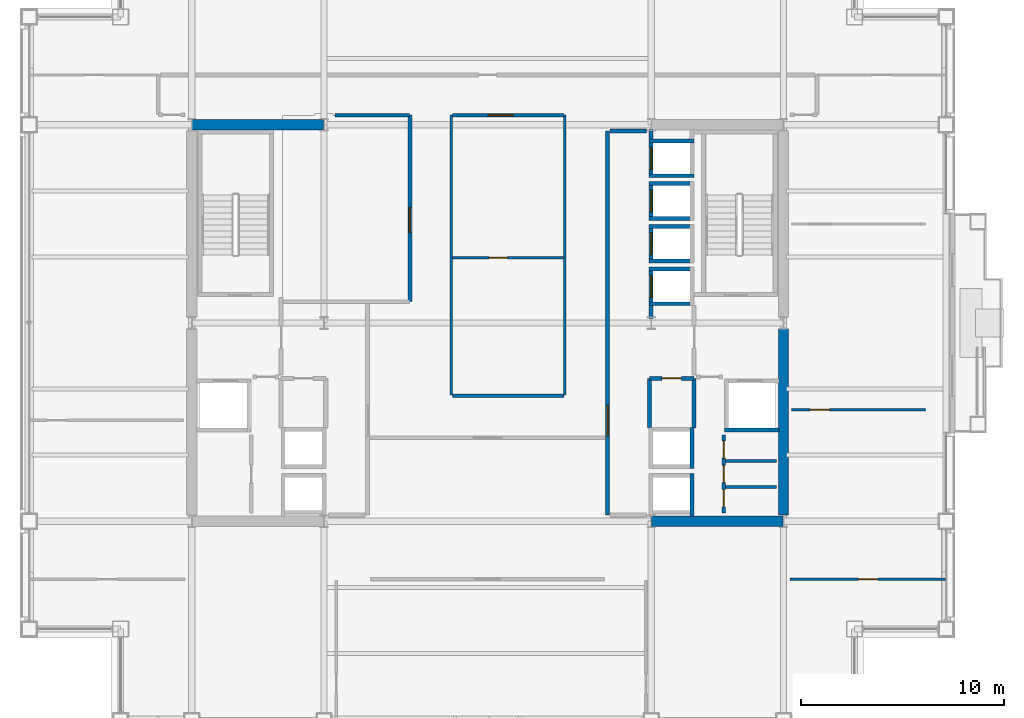
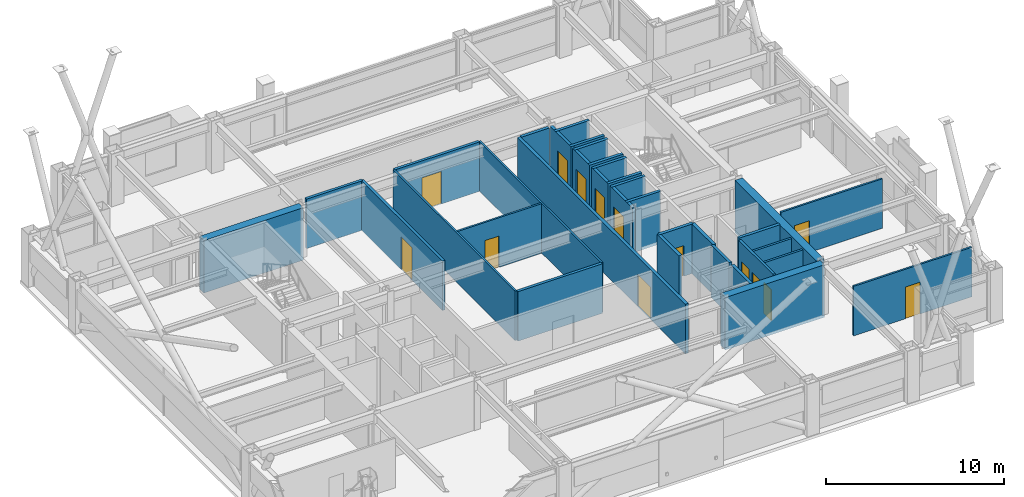
# One storey, part 30 of 35: 35 walls, 14 doors, 14 openings.
"""IFC4 building model written with IfcOpenShell, lengths in metres."""

from ifc_helpers import new_model, si_unit, direction, frame, frame_2d, origin, place, context, subcontext, project, spatial, rectangle, extrude, material, layer, layer_set, type_object, element, fill, save


model = new_model("IFC4")

# Units and contexts
model_context = context("Model", 3, precision=1e-05, world=origin(), true_north=direction((0.0, 1.0)))
body_context = subcontext(model_context, "Body", "Model", "MODEL_VIEW")
ifc_project = project(units=[si_unit("LENGTHUNIT", "METRE"), si_unit("AREAUNIT", "SQUARE_METRE"), si_unit("VOLUMEUNIT", "CUBIC_METRE"), si_unit("PLANEANGLEUNIT", "RADIAN"), si_unit("MASSUNIT", "GRAM", prefix="KILO")], contexts=[model_context])

# Site, building, storey
site_placement = place(None, origin())
site = spatial("IfcSite", under=ifc_project, at=site_placement, CompositionType="ELEMENT")
building_placement = place(site_placement, origin())
building = spatial("IfcBuilding", under=site, at=building_placement, Name="Brelmoor Portico Tower", CompositionType="ELEMENT")
storey_placement = place(building_placement, frame((0.0, 0.0, 131.39990234375)))
storey = spatial("IfcBuildingStorey", under=building, at=storey_placement, Name="L34", CompositionType="ELEMENT", Elevation=131.39990234375)

# Walls
ifc_material_1 = material(Name="Concrete C60", Category="concrete")
ifc_layer_1 = layer(ifc_material_1, 0.5)
ifc_layer_set_1 = layer_set([ifc_layer_1], Name="Concrete C60")
wall_type_1 = type_object("IfcWallType", Name="WL-CORE-500", PredefinedType="SHEAR", material=ifc_layer_set_1)
for number, where, z_axis, x_axis, name in (
    (1, (-14.530029296875, 9.75, -0.199951171875), (0.0, 0.0, 1.0), (1.0, 0.0, 0.0), "L34 WC North Shear Wall"),
    (2, (8.070068359375, -9.75, -0.199951171875), (0.0, 0.0, 1.0), (1.0, 0.0, 0.0), "L34 EC South Shear Wall"),
):
    element("IfcWall", number, at=place(storey_placement, frame(where, z_axis=z_axis, x_axis=x_axis)), inside=storey, type_object=wall_type_1, Name=name, PredefinedType="SHEAR", context=body_context, shape_type="SweptSolid", body=[
        extrude(rectangle(XDim=6.4599609375, YDim=0.5, at=frame_2d((3.22998046875, 0.0))), origin(), (0.0, 0.0, 1.0), 3.60009765625),
    ])
wall_1_placement = place(storey_placement, frame((14.550048828125, -9.449951171875, -0.199951171875), z_axis=(0.0, 0.0, 1.0), x_axis=(0.0, 1.0, 0.0)))
element("IfcWall", 3, at=wall_1_placement, inside=storey, type_object=wall_type_1, Name="L34 EC Outer South Shear Wall", PredefinedType="SHEAR", context=body_context, shape_type="SweptSolid", body=[
    extrude(rectangle(XDim=9.14990234375, YDim=0.5, at=frame_2d((4.574951171875, 0.0))), origin(), (0.0, 0.0, 1.0), 3.60009765625),
])
ifc_material_2 = material(Name="Lightweight Gypsum Office Partition", Category="gypsum")
ifc_layer_2 = layer(ifc_material_2, 0.1201171875)
ifc_layer_set_2 = layer_set([ifc_layer_2], Name="Lightweight Gypsum Office Partition")
wall_type_2 = type_object("IfcWallType", Name="WL-PART-120", PredefinedType="PARTITIONING", material=ifc_layer_set_2)
for number, where, z_axis, x_axis, name in (
    (4, (-1.780029296875, -3.550048828125, 0.0), (0.0, 0.0, 1.0), (0.0, 1.0, 0.0), "L34 Central Studio West Wall"),
    (5, (3.800048828125, -3.550048828125, 0.0), (0.0, 0.0, 1.0), (0.0, 1.0, 0.0), "L34 Central Studio East Wall"),
):
    element("IfcWall", number, at=place(storey_placement, frame(where, z_axis=z_axis, x_axis=x_axis)), inside=storey, type_object=wall_type_2, Name=name, PredefinedType="PARTITIONING", context=body_context, shape_type="SweptSolid", body=[
        extrude(rectangle(XDim=13.77001953125, YDim=0.1201171875, at=frame_2d((6.885009765625, 0.0))), origin(), (0.0, 0.0, 1.0), 3.400146484375),
    ])

# Wall, opening, door
wall_2_placement = place(storey_placement, frame((-1.72998046875, 3.199951171875, 0.0), z_axis=(0.0, 0.0, 1.0), x_axis=(1.0, 0.0, 0.0)))
wall_2 = element("IfcWall", 6, at=wall_2_placement, inside=storey, type_object=wall_type_2, Name="L34 Central Pantry Divider", PredefinedType="PARTITIONING", context=body_context, shape_type="SweptSolid", body=[
    extrude(rectangle(XDim=5.47998046875, YDim=0.1201171875, at=frame_2d((2.739990234375, 0.0))), origin(), (0.0, 0.0, 1.0), 3.400146484375),
])
opening_1_placement = place(wall_2_placement, frame((1.800048828125, 0.0, 0.0)))
opening_1 = element("IfcOpeningElement", 7, at=opening_1_placement, cuts=wall_2, Name="Opening D-IN1", PredefinedType="OPENING", context=body_context, shape_type="SweptSolid", body=[
    extrude(rectangle(XDim=0.89990234375, YDim=2.14990234375, at=frame_2d((0.449951171875, 1.074951171875))), frame((0.0, 0.070068359375, 0.0), z_axis=(0.0, -1.0, 0.0), x_axis=(1.0, 0.0, 0.0)), (0.0, 0.0, 1.0), 0.14013671875),
])
ifc_material_3 = material(Name="Lacquered Timber Suite Door", Category="wood")
door_type_1 = type_object("IfcDoorType", Name="DR-INT-900", OperationType="NOTDEFINED", PredefinedType="DOOR", material=ifc_material_3)
door_1_placement = place(opening_1_placement, origin())
door_1 = element("IfcDoor", 8, at=door_1_placement, inside=storey, type_object=door_type_1, Name="D-1473 L34 Central Pantry Connecting Door", OperationType="SINGLE_SWING_RIGHT", OverallHeight=2.14990234375, OverallWidth=0.89990234375, PredefinedType="DOOR", context=body_context, shape_type="SweptSolid", body=[
    extrude(rectangle(XDim=0.89990234375, YDim=2.14990234375, at=frame_2d((0.449951171875, 1.074951171875))), frame((0.0, 0.02490234375, 0.0), z_axis=(0.0, -1.0, 0.0), x_axis=(1.0, 0.0, 0.0)), (0.0, 0.0, 1.0), 0.050048828125),
])
fill(opening_1, door_1)

wall_3_placement = place(storey_placement, frame((14.8798828125, -12.60009765625, 0.0), z_axis=(0.0, 0.0, 1.0), x_axis=(1.0, 0.0, 0.0)))
wall_3 = element("IfcWall", 9, at=wall_3_placement, inside=storey, type_object=wall_type_2, Name="L34 South Wing Closure ER", PredefinedType="PARTITIONING", context=body_context, shape_type="SweptSolid", body=[
    extrude(rectangle(XDim=7.68017578125, YDim=0.1201171875, at=frame_2d((3.840087890625, 0.0))), origin(), (0.0, 0.0, 1.0), 3.400146484375),
])
opening_2_placement = place(wall_3_placement, frame((3.360107421875, 0.0, 0.0)))
opening_2 = element("IfcOpeningElement", 10, at=opening_2_placement, cuts=wall_3, Name="Opening D-IN2", PredefinedType="OPENING", context=body_context, shape_type="SweptSolid", body=[
    extrude(rectangle(XDim=0.9599609375, YDim=2.179931640625, at=frame_2d((0.47998046875, 1.08984375))), frame((0.0, 0.070068359375, 0.0), z_axis=(0.0, -1.0, 0.0), x_axis=(1.0, 0.0, 0.0)), (0.0, 0.0, 1.0), 0.14013671875),
])
door_type_2 = type_object("IfcDoorType", Name="DR-INT-950", OperationType="NOTDEFINED", PredefinedType="DOOR", material=ifc_material_3)
door_2_placement = place(opening_2_placement, origin())
door_2 = element("IfcDoor", 11, at=door_2_placement, inside=storey, type_object=door_type_2, Name="D-1496 L34 ER Wing South Suite Door", OperationType="SINGLE_SWING_LEFT", OverallHeight=2.179931640625, OverallWidth=0.9599609375, PredefinedType="DOOR", context=body_context, shape_type="SweptSolid", body=[
    extrude(rectangle(XDim=0.9599609375, YDim=2.179931640625, at=frame_2d((0.47998046875, 1.08984375))), frame((0.0, 0.02490234375, 0.0), z_axis=(0.0, -1.0, 0.0), x_axis=(1.0, 0.0, 0.0)), (0.0, 0.0, 1.0), 0.050048828125),
])
fill(opening_2, door_2)

wall_4_placement = place(storey_placement, frame((14.9599609375, -4.27001953125, 0.0), z_axis=(0.0, 0.0, 1.0), x_axis=(1.0, 0.0, 0.0)))
wall_4 = element("IfcWall", 12, at=wall_4_placement, inside=storey, type_object=wall_type_2, Name="L34 E Wing Partition 1", PredefinedType="PARTITIONING", context=body_context, shape_type="SweptSolid", body=[
    extrude(rectangle(XDim=6.590087890625, YDim=0.1201171875, at=frame_2d((3.294921875, 0.0))), origin(), (0.0, 0.0, 1.0), 3.400146484375),
])
opening_3_placement = place(wall_4_placement, frame((0.89990234375, 0.0, 0.0)))
opening_3 = element("IfcOpeningElement", 13, at=opening_3_placement, cuts=wall_4, Name="Opening D-IN2", PredefinedType="OPENING", context=body_context, shape_type="SweptSolid", body=[
    extrude(rectangle(XDim=0.9599609375, YDim=2.179931640625, at=frame_2d((0.47998046875, 1.08984375))), frame((0.0, 0.070068359375, 0.0), z_axis=(0.0, -1.0, 0.0), x_axis=(1.0, 0.0, 0.0)), (0.0, 0.0, 1.0), 0.14013671875),
])
door_3_placement = place(opening_3_placement, origin())
door_3 = element("IfcDoor", 14, at=door_3_placement, inside=storey, type_object=door_type_2, Name="D-1500 L34 E Wing Suite Connecting Door 1", OperationType="SINGLE_SWING_LEFT", OverallHeight=2.179931640625, OverallWidth=0.9599609375, PredefinedType="DOOR", context=body_context, shape_type="SweptSolid", body=[
    extrude(rectangle(XDim=0.9599609375, YDim=2.179931640625, at=frame_2d((0.47998046875, 1.08984375))), frame((0.0, 0.02490234375, 0.0), z_axis=(0.0, -1.0, 0.0), x_axis=(1.0, 0.0, 0.0)), (0.0, 0.0, 1.0), 0.050048828125),
])
fill(opening_3, door_3)

# Walls
ifc_material_4 = material(Name="Insulated Stud Suite Partition", Category="gypsum")
ifc_layer_3 = layer(ifc_material_4, 0.139892578125)
ifc_layer_set_3 = layer_set([ifc_layer_3], Name="Insulated Stud Suite Partition")
wall_type_3 = type_object("IfcWallType", Name="WL-PART-140", PredefinedType="PARTITIONING", material=ifc_layer_set_3)
for number, where, z_axis, x_axis, name in (
    (15, (11.699951171875, -8.066650390625, 0.0), (0.0, 0.0, 1.0), (1.0, 0.0, 0.0), "L34 E Core WC Divider 1"),
    (16, (11.699951171875, -6.783203125, 0.0), (0.0, 0.0, 1.0), (1.0, 0.0, 0.0), "L34 E Core WC Divider 2"),
):
    element("IfcWall", number, at=place(storey_placement, frame(where, z_axis=z_axis, x_axis=x_axis)), inside=storey, type_object=wall_type_3, Name=name, PredefinedType="PARTITIONING", context=body_context, shape_type="SweptSolid", body=[
        extrude(rectangle(XDim=2.5, YDim=0.139892578125, at=frame_2d((1.25, 0.0))), origin(), (0.0, 0.0, 1.0), 3.400146484375),
    ])

# Wall, openings, doors
ifc_material_5 = material(Name="Twin-Frame Acoustic Partition", Category="gypsum")
ifc_layer_4 = layer(ifc_material_5, 0.159912109375)
ifc_layer_set_4 = layer_set([ifc_layer_4], Name="Twin-Frame Acoustic Partition")
wall_type_4 = type_object("IfcWallType", Name="WL-PART-160", PredefinedType="PARTITIONING", material=ifc_layer_set_4)
wall_5_placement = place(storey_placement, frame((11.6201171875, -9.35009765625, 0.0), z_axis=(0.0, 0.0, 1.0), x_axis=(0.0, 1.0, 0.0)))
wall_5 = element("IfcWall", 17, at=wall_5_placement, inside=storey, type_object=wall_type_4, Name="L34 E Core Service Front Wall", PredefinedType="PARTITIONING", context=body_context, shape_type="SweptSolid", body=[
    extrude(rectangle(XDim=3.85009765625, YDim=0.159912109375, at=frame_2d((1.925048828125, 0.0))), origin(), (0.0, 0.0, 1.0), 3.400146484375),
])
opening_4_placement = place(wall_5_placement, frame((0.300048828125, 0.0, 0.0)))
opening_4 = element("IfcOpeningElement", 18, at=opening_4_placement, cuts=wall_5, Name="Opening D-WC1", PredefinedType="OPENING", context=body_context, shape_type="SweptSolid", body=[
    extrude(rectangle(XDim=0.85009765625, YDim=2.1201171875, at=frame_2d((0.425048828125, 1.06005859375))), frame((0.0, 0.08984375, 0.0), z_axis=(0.0, -1.0, 0.0), x_axis=(1.0, 0.0, 0.0)), (0.0, 0.0, 1.0), 0.179931640625),
])
opening_5_placement = place(wall_5_placement, frame((1.5, 0.0, 0.0)))
opening_5 = element("IfcOpeningElement", 19, at=opening_5_placement, cuts=wall_5, Name="Opening D-WC1", PredefinedType="OPENING", context=body_context, shape_type="SweptSolid", body=[
    extrude(rectangle(XDim=0.85009765625, YDim=2.1201171875, at=frame_2d((0.425048828125, 1.06005859375))), frame((0.0, 0.08984375, 0.0), z_axis=(0.0, -1.0, 0.0), x_axis=(1.0, 0.0, 0.0)), (0.0, 0.0, 1.0), 0.179931640625),
])
opening_6_placement = place(wall_5_placement, frame((2.699951171875, 0.0, 0.0)))
opening_6 = element("IfcOpeningElement", 20, at=opening_6_placement, cuts=wall_5, Name="Opening D-WC1", PredefinedType="OPENING", context=body_context, shape_type="SweptSolid", body=[
    extrude(rectangle(XDim=0.85009765625, YDim=2.1201171875, at=frame_2d((0.425048828125, 1.06005859375))), frame((0.0, 0.08984375, 0.0), z_axis=(0.0, -1.0, 0.0), x_axis=(1.0, 0.0, 0.0)), (0.0, 0.0, 1.0), 0.179931640625),
])
ifc_material_6 = material(Name="Moisture-Resistant Laminate WC Door", Category="timber")
door_type_3 = type_object("IfcDoorType", Name="DR-WC-850", OperationType="NOTDEFINED", PredefinedType="DOOR", material=ifc_material_6)
door_4_placement = place(opening_4_placement, origin())
door_4 = element("IfcDoor", 21, at=door_4_placement, inside=storey, type_object=door_type_3, Name="D-1475 L34 E Male WC Door", OperationType="SINGLE_SWING_RIGHT", OverallHeight=2.1201171875, OverallWidth=0.85009765625, PredefinedType="DOOR", context=body_context, shape_type="SweptSolid", body=[
    extrude(rectangle(XDim=0.85009765625, YDim=2.1201171875, at=frame_2d((0.425048828125, 1.06005859375))), frame((0.0, 0.02490234375, 0.0), z_axis=(0.0, -1.0, 0.0), x_axis=(1.0, 0.0, 0.0)), (0.0, 0.0, 1.0), 0.050048828125),
])
fill(opening_4, door_4)
door_5_placement = place(opening_5_placement, origin())
door_5 = element("IfcDoor", 22, at=door_5_placement, inside=storey, type_object=door_type_3, Name="D-1476 L34 E Female WC Door", OperationType="SINGLE_SWING_LEFT", OverallHeight=2.1201171875, OverallWidth=0.85009765625, PredefinedType="DOOR", context=body_context, shape_type="SweptSolid", body=[
    extrude(rectangle(XDim=0.85009765625, YDim=2.1201171875, at=frame_2d((0.425048828125, 1.06005859375))), frame((0.0, 0.02490234375, 0.0), z_axis=(0.0, -1.0, 0.0), x_axis=(1.0, 0.0, 0.0)), (0.0, 0.0, 1.0), 0.050048828125),
])
fill(opening_5, door_5)
door_6_placement = place(opening_6_placement, origin())
door_6 = element("IfcDoor", 23, at=door_6_placement, inside=storey, type_object=door_type_3, Name="D-1477 L34 E Janitor Store Door", OperationType="SINGLE_SWING_RIGHT", OverallHeight=2.1201171875, OverallWidth=0.85009765625, PredefinedType="DOOR", context=body_context, shape_type="SweptSolid", body=[
    extrude(rectangle(XDim=0.85009765625, YDim=2.1201171875, at=frame_2d((0.425048828125, 1.06005859375))), frame((0.0, 0.02490234375, 0.0), z_axis=(0.0, -1.0, 0.0), x_axis=(1.0, 0.0, 0.0)), (0.0, 0.0, 1.0), 0.050048828125),
])
fill(opening_6, door_6)

# Wall, opening, door
ifc_material_7 = material(Name="Acoustic Corridor Fire Partition", Category="gypsum")
ifc_layer_5 = layer(ifc_material_7, 0.179931640625)
ifc_layer_set_5 = layer_set([ifc_layer_5], Name="Acoustic Corridor Fire Partition")
wall_type_5 = type_object("IfcWallType", Name="WL-PART-180", PredefinedType="PARTITIONING", material=ifc_layer_set_5)
wall_6_placement = place(storey_placement, frame((-3.820068359375, 1.050048828125, 0.0), z_axis=(0.0, 0.0, 1.0), x_axis=(0.0, 1.0, 0.0)))
wall_6 = element("IfcWall", 24, at=wall_6_placement, inside=storey, type_object=wall_type_5, Name="L34 Reclaimed West Suite East Wall", PredefinedType="PARTITIONING", context=body_context, shape_type="SweptSolid", body=[
    extrude(rectangle(XDim=9.169921875, YDim=0.179931640625, at=frame_2d((4.5849609375, 0.0))), origin(), (0.0, 0.0, 1.0), 3.400146484375),
])
opening_7_placement = place(wall_6_placement, frame((3.39990234375, 0.0, 0.0)))
opening_7 = element("IfcOpeningElement", 25, at=opening_7_placement, cuts=wall_6, Name="Opening D-SU1", PredefinedType="OPENING", context=body_context, shape_type="SweptSolid", body=[
    extrude(rectangle(XDim=1.239990234375, YDim=2.239990234375, at=frame_2d((0.6201171875, 1.1201171875))), frame((0.0, 0.099853515625, 0.0), z_axis=(0.0, -1.0, 0.0), x_axis=(1.0, 0.0, 0.0)), (0.0, 0.0, 1.0), 0.199951171875),
])
ifc_material_8 = material(Name="Glazed Timber Executive Suite Door", Category="wood")
door_type_4 = type_object("IfcDoorType", Name="DR-SUITE-1200", OperationType="NOTDEFINED", PredefinedType="DOOR", material=ifc_material_8)
door_7_placement = place(opening_7_placement, origin())
door_7 = element("IfcDoor", 26, at=door_7_placement, inside=storey, type_object=door_type_4, Name="D-1490 L34 West Reclaimed Collaboration Office Door", OperationType="SINGLE_SWING_LEFT", OverallHeight=2.239990234375, OverallWidth=1.239990234375, PredefinedType="DOOR", context=body_context, shape_type="SweptSolid", body=[
    extrude(rectangle(XDim=1.239990234375, YDim=2.239990234375, at=frame_2d((0.6201171875, 1.1201171875))), frame((0.0, 0.02490234375, 0.0), z_axis=(0.0, -1.0, 0.0), x_axis=(1.0, 0.0, 0.0)), (0.0, 0.0, 1.0), 0.050048828125),
])
fill(opening_7, door_7)

# Walls
wall_7_placement = place(storey_placement, frame((-7.5, 10.219970703125, 0.0), z_axis=(0.0, 0.0, 1.0), x_axis=(1.0, 0.0, 0.0)))
element("IfcWall", 27, at=wall_7_placement, inside=storey, type_object=wall_type_5, Name="L34 Reclaimed West Suite North Wall", PredefinedType="PARTITIONING", context=body_context, shape_type="SweptSolid", body=[
    extrude(rectangle(XDim=3.659912109375, YDim=0.179931640625, at=frame_2d((1.830078125, 0.0))), origin(), (0.0, 0.0, 1.0), 3.400146484375),
])
wall_8_placement = place(storey_placement, frame((-1.72998046875, -3.580078125, 0.0), z_axis=(0.0, 0.0, 1.0), x_axis=(1.0, 0.0, 0.0)))
element("IfcWall", 28, at=wall_8_placement, inside=storey, type_object=wall_type_5, Name="L34 Central Studio South Wall", PredefinedType="PARTITIONING", context=body_context, shape_type="SweptSolid", body=[
    extrude(rectangle(XDim=5.47998046875, YDim=0.179931640625, at=frame_2d((2.739990234375, 0.0))), origin(), (0.0, 0.0, 1.0), 3.400146484375),
])

# Wall, opening, door
wall_9_placement = place(storey_placement, frame((-1.72998046875, 10.219970703125, 0.0), z_axis=(0.0, 0.0, 1.0), x_axis=(1.0, 0.0, 0.0)))
wall_9 = element("IfcWall", 29, at=wall_9_placement, inside=storey, type_object=wall_type_5, Name="L34 Central Meeting North Wall", PredefinedType="PARTITIONING", context=body_context, shape_type="SweptSolid", body=[
    extrude(rectangle(XDim=5.47998046875, YDim=0.179931640625, at=frame_2d((2.739990234375, 0.0))), origin(), (0.0, 0.0, 1.0), 3.400146484375),
])
opening_8_placement = place(wall_9_placement, frame((1.75, 0.0, 0.0)))
opening_8 = element("IfcOpeningElement", 30, at=opening_8_placement, cuts=wall_9, Name="Opening D-SU1", PredefinedType="OPENING", context=body_context, shape_type="SweptSolid", body=[
    extrude(rectangle(XDim=1.239990234375, YDim=2.239990234375, at=frame_2d((0.6201171875, 1.1201171875))), frame((0.0, 0.099853515625, 0.0), z_axis=(0.0, -1.0, 0.0), x_axis=(1.0, 0.0, 0.0)), (0.0, 0.0, 1.0), 0.199951171875),
])
door_8_placement = place(opening_8_placement, origin())
door_8 = element("IfcDoor", 31, at=door_8_placement, inside=storey, type_object=door_type_4, Name="D-1474 L34 Client Meeting Room Door", OperationType="SINGLE_SWING_LEFT", OverallHeight=2.239990234375, OverallWidth=1.239990234375, PredefinedType="DOOR", context=body_context, shape_type="SweptSolid", body=[
    extrude(rectangle(XDim=1.239990234375, YDim=2.239990234375, at=frame_2d((0.6201171875, 1.1201171875))), frame((0.0, 0.02490234375, 0.0), z_axis=(0.0, -1.0, 0.0), x_axis=(1.0, 0.0, 0.0)), (0.0, 0.0, 1.0), 0.050048828125),
])
fill(opening_8, door_8)

ifc_material_9 = material(Name="Double-Stud Gypsum Fire Partition", Category="gypsum")
ifc_layer_6 = layer(ifc_material_9, 0.199951171875)
ifc_layer_set_6 = layer_set([ifc_layer_6], Name="Double-Stud Gypsum Fire Partition")
wall_type_6 = type_object("IfcWallType", Name="WL-PART-200", PredefinedType="PARTITIONING", material=ifc_layer_set_6)
wall_10_placement = place(storey_placement, frame((5.89990234375, -9.449951171875, 0.0), z_axis=(0.0, 0.0, 1.0), x_axis=(0.0, 1.0, 0.0)))
wall_10 = element("IfcWall", 32, at=wall_10_placement, inside=storey, type_object=wall_type_6, Name="L34 E Core Lobby Compartment Wall", PredefinedType="PARTITIONING", context=body_context, shape_type="SweptSolid", body=[
    extrude(rectangle(XDim=18.89990234375, YDim=0.199951171875, at=frame_2d((9.449951171875, 0.0))), origin(), (0.0, 0.0, 1.0), 3.400146484375),
])
opening_9_placement = place(wall_10_placement, frame((3.89990234375, 0.0, 0.0)))
opening_9 = element("IfcOpeningElement", 33, at=opening_9_placement, cuts=wall_10, Name="Opening D-LB1", PredefinedType="OPENING", context=body_context, shape_type="SweptSolid", body=[
    extrude(rectangle(XDim=1.5, YDim=2.199951171875, at=frame_2d((0.75, 1.10009765625))), frame((0.0, 0.10986328125, 0.0), z_axis=(0.0, -1.0, 0.0), x_axis=(1.0, 0.0, 0.0)), (0.0, 0.0, 1.0), 0.219970703125),
])
ifc_material_10 = material(Name="Double-Leaf Glazed Steel Fire Door", Category="steel")
door_type_5 = type_object("IfcDoorType", Name="DR-LOBBY-1500", OperationType="NOTDEFINED", PredefinedType="DOOR", material=ifc_material_10)
door_9_placement = place(opening_9_placement, origin())
door_9 = element("IfcDoor", 34, at=door_9_placement, inside=storey, type_object=door_type_5, Name="D-1485 L34 E Lift Lobby Main Door", OperationType="DOUBLE_DOOR_SINGLE_SWING", OverallHeight=2.199951171875, OverallWidth=1.5, PredefinedType="DOOR", context=body_context, shape_type="SweptSolid", body=[
    extrude(rectangle(XDim=1.5, YDim=2.199951171875, at=frame_2d((0.75, 1.10009765625))), frame((0.0, 0.02490234375, 0.0), z_axis=(0.0, -1.0, 0.0), x_axis=(1.0, 0.0, 0.0)), (0.0, 0.0, 1.0), 0.050048828125),
])
fill(opening_9, door_9)

# Wall
wall_11_placement = place(storey_placement, frame((6.02001953125, 9.449951171875, 0.0), z_axis=(0.0, 0.0, 1.0), x_axis=(1.0, 0.0, 0.0)))
element("IfcWall", 35, at=wall_11_placement, inside=storey, type_object=wall_type_6, Name="L34 E Lift Lobby North End Wall", PredefinedType="PARTITIONING", context=body_context, shape_type="SweptSolid", body=[
    extrude(rectangle(XDim=1.800048828125, YDim=0.199951171875, at=frame_2d((0.89990234375, 0.0))), origin(), (0.0, 0.0, 1.0), 3.400146484375),
])

# Wall, opening, door
wall_12_placement = place(storey_placement, frame((7.9599609375, -2.719970703125, 0.0), z_axis=(0.0, 0.0, 1.0), x_axis=(1.0, 0.0, 0.0)))
wall_12 = element("IfcWall", 36, at=wall_12_placement, inside=storey, type_object=wall_type_6, Name="L34 E Electrical Switchgear Closet Wall", PredefinedType="PARTITIONING", context=body_context, shape_type="SweptSolid", body=[
    extrude(rectangle(XDim=2.199951171875, YDim=0.199951171875, at=frame_2d((1.10009765625, 0.0))), origin(), (0.0, 0.0, 1.0), 3.400146484375),
])
opening_10_placement = place(wall_12_placement, frame((0.6201171875, 0.0, 0.0)))
opening_10 = element("IfcOpeningElement", 37, at=opening_10_placement, cuts=wall_12, Name="Opening D-FR4", PredefinedType="OPENING", context=body_context, shape_type="SweptSolid", body=[
    extrude(rectangle(XDim=0.949951171875, YDim=2.10009765625, at=frame_2d((0.47509765625, 1.050048828125))), frame((0.0, 0.10986328125, 0.0), z_axis=(0.0, -1.0, 0.0), x_axis=(1.0, 0.0, 0.0)), (0.0, 0.0, 1.0), 0.219970703125),
])
ifc_material_11 = material(Name="Painted Galvanised Steel Riser Door", Category="steel")
door_type_6 = type_object("IfcDoorType", Name="DR-FIRE-950", OperationType="NOTDEFINED", PredefinedType="DOOR", material=ifc_material_11)
door_10_placement = place(opening_10_placement, origin())
door_10 = element("IfcDoor", 38, at=door_10_placement, inside=storey, type_object=door_type_6, Name="D-1481 L34 E Electrical Switchgear Closet Door", OperationType="SINGLE_SWING_LEFT", OverallHeight=2.10009765625, OverallWidth=0.949951171875, PredefinedType="DOOR", context=body_context, shape_type="SweptSolid", body=[
    extrude(rectangle(XDim=0.949951171875, YDim=2.10009765625, at=frame_2d((0.47509765625, 1.050048828125))), frame((0.0, 0.02490234375, 0.0), z_axis=(0.0, -1.0, 0.0), x_axis=(1.0, 0.0, 0.0)), (0.0, 0.0, 1.0), 0.050048828125),
])
fill(opening_10, door_10)

# Walls
for number, where, z_axis, x_axis, name in (
    (39, (7.9599609375, -5.159912109375, 0.0), (0.0, 0.0, 1.0), (0.0, 1.0, 0.0), "L34 E Electrical Switchgear Closet Inner Wall"),
    (40, (10.159912109375, -5.159912109375, 0.0), (0.0, 0.0, 1.0), (0.0, 1.0, 0.0), "L34 E Electrical Switchgear Closet Outer Wall"),
):
    element("IfcWall", number, at=place(storey_placement, frame(where, z_axis=z_axis, x_axis=x_axis)), inside=storey, type_object=wall_type_6, Name=name, PredefinedType="PARTITIONING", context=body_context, shape_type="SweptSolid", body=[
        extrude(rectangle(XDim=2.43994140625, YDim=0.199951171875, at=frame_2d((1.219970703125, 0.0))), origin(), (0.0, 0.0, 1.0), 3.400146484375),
    ])

# Wall, opening, door
ifc_material_12 = material(Name="Precast Concrete C40", Category="concrete")
ifc_layer_7 = layer(ifc_material_12, 0.18994140625)
ifc_layer_set_7 = layer_set([ifc_layer_7], Name="Precast Concrete C40")
wall_type_7 = type_object("IfcWallType", Name="WL-SHAFT-180", PredefinedType="SOLIDWALL", material=ifc_layer_set_7)
wall_13_placement = place(storey_placement, frame((8.044921875, 0.2099609375, -0.199951171875), z_axis=(0.0, 0.0, 1.0), x_axis=(0.0, 1.0, 0.0)))
wall_13 = element("IfcWall", 41, at=wall_13_placement, inside=storey, type_object=wall_type_7, Name="L34 Lift PM1 Hoistway Front Wall", PredefinedType="SOLIDWALL", context=body_context, shape_type="SweptSolid", body=[
    extrude(rectangle(XDim=2.5400390625, YDim=0.18994140625, at=frame_2d((1.27001953125, 0.0))), origin(), (0.0, 0.0, 1.0), 3.60009765625),
])
opening_11_placement = place(wall_13_placement, frame((1.0400390625, 0.0, 0.199951171875)))
opening_11 = element("IfcOpeningElement", 42, at=opening_11_placement, cuts=wall_13, Name="Opening LD-01", PredefinedType="OPENING", context=body_context, shape_type="SweptSolid", body=[
    extrude(rectangle(XDim=1.10009765625, YDim=2.199951171875, at=frame_2d((0.550048828125, 1.10009765625))), frame((0.0, 0.10498046875, 0.0), z_axis=(0.0, -1.0, 0.0), x_axis=(1.0, 0.0, 0.0)), (0.0, 0.0, 1.0), 0.2099609375),
])
ifc_material_13 = material(Name="Brushed Stainless Steel Sliding Lift Door", Category="steel")
door_type_7 = type_object("IfcDoorType", Name="DR-LIFT-1100", OperationType="NOTDEFINED", PredefinedType="DOOR", material=ifc_material_13)
door_11_placement = place(opening_11_placement, origin())
door_11 = element("IfcDoor", 43, at=door_11_placement, inside=storey, type_object=door_type_7, Name="D-1507 L34 Lift PM1 Sliding Landing Door", OperationType="SLIDING_TO_LEFT", OverallHeight=2.199951171875, OverallWidth=1.10009765625, PredefinedType="DOOR", context=body_context, shape_type="SweptSolid", body=[
    extrude(rectangle(XDim=1.10009765625, YDim=2.199951171875, at=frame_2d((0.550048828125, 1.10009765625))), frame((0.0, 0.02490234375, 0.0), z_axis=(0.0, -1.0, 0.0), x_axis=(1.0, 0.0, 0.0)), (0.0, 0.0, 1.0), 0.050048828125),
])
fill(opening_11, door_11)

# Walls
for number, where, z_axis, x_axis, name in (
    (44, (7.949951171875, 2.655029296875, -0.199951171875), (0.0, 0.0, 1.0), (1.0, 0.0, 0.0), "L34 Lift PM1 Hoistway North Wall"),
    (45, (7.949951171875, 0.945068359375, -0.199951171875), (0.0, 0.0, 1.0), (1.0, 0.0, 0.0), "L34 Lift PM1 Hoistway South Wall"),
):
    element("IfcWall", number, at=place(storey_placement, frame(where, z_axis=z_axis, x_axis=x_axis)), inside=storey, type_object=wall_type_7, Name=name, PredefinedType="SOLIDWALL", context=body_context, shape_type="SweptSolid", body=[
        extrude(rectangle(XDim=2.199951171875, YDim=0.18994140625, at=frame_2d((1.10009765625, 0.0))), origin(), (0.0, 0.0, 1.0), 3.60009765625),
    ])

# Wall, opening, door
wall_14_placement = place(storey_placement, frame((8.044921875, 2.949951171875, -0.199951171875), z_axis=(0.0, 0.0, 1.0), x_axis=(0.0, 1.0, 0.0)))
wall_14 = element("IfcWall", 46, at=wall_14_placement, inside=storey, type_object=wall_type_7, Name="L34 Lift PM2 Hoistway Front Wall", PredefinedType="SOLIDWALL", context=body_context, shape_type="SweptSolid", body=[
    extrude(rectangle(XDim=1.900146484375, YDim=0.18994140625, at=frame_2d((0.9501953125, 0.0))), origin(), (0.0, 0.0, 1.0), 3.60009765625),
])
opening_12_placement = place(wall_14_placement, frame((0.39990234375, 0.0, 0.199951171875)))
opening_12 = element("IfcOpeningElement", 47, at=opening_12_placement, cuts=wall_14, Name="Opening LD-01", PredefinedType="OPENING", context=body_context, shape_type="SweptSolid", body=[
    extrude(rectangle(XDim=1.10009765625, YDim=2.199951171875, at=frame_2d((0.550048828125, 1.10009765625))), frame((0.0, 0.10498046875, 0.0), z_axis=(0.0, -1.0, 0.0), x_axis=(1.0, 0.0, 0.0)), (0.0, 0.0, 1.0), 0.2099609375),
])
door_12_placement = place(opening_12_placement, origin())
door_12 = element("IfcDoor", 48, at=door_12_placement, inside=storey, type_object=door_type_7, Name="D-1508 L34 Lift PM2 Sliding Landing Door", OperationType="SLIDING_TO_LEFT", OverallHeight=2.199951171875, OverallWidth=1.10009765625, PredefinedType="DOOR", context=body_context, shape_type="SweptSolid", body=[
    extrude(rectangle(XDim=1.10009765625, YDim=2.199951171875, at=frame_2d((0.550048828125, 1.10009765625))), frame((0.0, 0.02490234375, 0.0), z_axis=(0.0, -1.0, 0.0), x_axis=(1.0, 0.0, 0.0)), (0.0, 0.0, 1.0), 0.050048828125),
])
fill(opening_12, door_12)

# Walls
for number, where, z_axis, x_axis, name in (
    (49, (7.949951171875, 4.7548828125, -0.199951171875), (0.0, 0.0, 1.0), (1.0, 0.0, 0.0), "L34 Lift PM2 Hoistway North Wall"),
    (50, (7.949951171875, 3.044921875, -0.199951171875), (0.0, 0.0, 1.0), (1.0, 0.0, 0.0), "L34 Lift PM2 Hoistway South Wall"),
):
    element("IfcWall", number, at=place(storey_placement, frame(where, z_axis=z_axis, x_axis=x_axis)), inside=storey, type_object=wall_type_7, Name=name, PredefinedType="SOLIDWALL", context=body_context, shape_type="SweptSolid", body=[
        extrude(rectangle(XDim=2.199951171875, YDim=0.18994140625, at=frame_2d((1.10009765625, 0.0))), origin(), (0.0, 0.0, 1.0), 3.60009765625),
    ])

# Wall, opening, door
wall_15_placement = place(storey_placement, frame((8.044921875, 5.050048828125, -0.199951171875), z_axis=(0.0, 0.0, 1.0), x_axis=(0.0, 1.0, 0.0)))
wall_15 = element("IfcWall", 51, at=wall_15_placement, inside=storey, type_object=wall_type_7, Name="L34 Lift PM3 Hoistway Front Wall", PredefinedType="SOLIDWALL", context=body_context, shape_type="SweptSolid", body=[
    extrude(rectangle(XDim=1.89990234375, YDim=0.18994140625, at=frame_2d((0.949951171875, 0.0))), origin(), (0.0, 0.0, 1.0), 3.60009765625),
])
opening_13_placement = place(wall_15_placement, frame((0.39990234375, 0.0, 0.199951171875)))
opening_13 = element("IfcOpeningElement", 52, at=opening_13_placement, cuts=wall_15, Name="Opening LD-01", PredefinedType="OPENING", context=body_context, shape_type="SweptSolid", body=[
    extrude(rectangle(XDim=1.10009765625, YDim=2.199951171875, at=frame_2d((0.550048828125, 1.10009765625))), frame((0.0, 0.10498046875, 0.0), z_axis=(0.0, -1.0, 0.0), x_axis=(1.0, 0.0, 0.0)), (0.0, 0.0, 1.0), 0.2099609375),
])
door_13_placement = place(opening_13_placement, origin())
door_13 = element("IfcDoor", 53, at=door_13_placement, inside=storey, type_object=door_type_7, Name="D-1509 L34 Lift PM3 Sliding Landing Door", OperationType="SLIDING_TO_LEFT", OverallHeight=2.199951171875, OverallWidth=1.10009765625, PredefinedType="DOOR", context=body_context, shape_type="SweptSolid", body=[
    extrude(rectangle(XDim=1.10009765625, YDim=2.199951171875, at=frame_2d((0.550048828125, 1.10009765625))), frame((0.0, 0.02490234375, 0.0), z_axis=(0.0, -1.0, 0.0), x_axis=(1.0, 0.0, 0.0)), (0.0, 0.0, 1.0), 0.050048828125),
])
fill(opening_13, door_13)

# Walls
for number, where, z_axis, x_axis, name in (
    (54, (7.949951171875, 6.85498046875, -0.199951171875), (0.0, 0.0, 1.0), (1.0, 0.0, 0.0), "L34 Lift PM3 Hoistway North Wall"),
    (55, (7.949951171875, 5.14501953125, -0.199951171875), (0.0, 0.0, 1.0), (1.0, 0.0, 0.0), "L34 Lift PM3 Hoistway South Wall"),
):
    element("IfcWall", number, at=place(storey_placement, frame(where, z_axis=z_axis, x_axis=x_axis)), inside=storey, type_object=wall_type_7, Name=name, PredefinedType="SOLIDWALL", context=body_context, shape_type="SweptSolid", body=[
        extrude(rectangle(XDim=2.199951171875, YDim=0.18994140625, at=frame_2d((1.10009765625, 0.0))), origin(), (0.0, 0.0, 1.0), 3.60009765625),
    ])

# Wall, opening, door
wall_16_placement = place(storey_placement, frame((8.044921875, 7.14990234375, -0.199951171875), z_axis=(0.0, 0.0, 1.0), x_axis=(0.0, 1.0, 0.0)))
wall_16 = element("IfcWall", 56, at=wall_16_placement, inside=storey, type_object=wall_type_7, Name="L34 Lift PM4 Hoistway Front Wall", PredefinedType="SOLIDWALL", context=body_context, shape_type="SweptSolid", body=[
    extrude(rectangle(XDim=2.3701171875, YDim=0.18994140625, at=frame_2d((1.18505859375, 0.0))), origin(), (0.0, 0.0, 1.0), 3.60009765625),
])
opening_14_placement = place(wall_16_placement, frame((0.39990234375, 0.0, 0.199951171875)))
opening_14 = element("IfcOpeningElement", 57, at=opening_14_placement, cuts=wall_16, Name="Opening LD-01", PredefinedType="OPENING", context=body_context, shape_type="SweptSolid", body=[
    extrude(rectangle(XDim=1.10009765625, YDim=2.199951171875, at=frame_2d((0.550048828125, 1.10009765625))), frame((0.0, 0.10498046875, 0.0), z_axis=(0.0, -1.0, 0.0), x_axis=(1.0, 0.0, 0.0)), (0.0, 0.0, 1.0), 0.2099609375),
])
door_14_placement = place(opening_14_placement, origin())
door_14 = element("IfcDoor", 58, at=door_14_placement, inside=storey, type_object=door_type_7, Name="D-1510 L34 Lift PM4 Sliding Landing Door", OperationType="SLIDING_TO_LEFT", OverallHeight=2.199951171875, OverallWidth=1.10009765625, PredefinedType="DOOR", context=body_context, shape_type="SweptSolid", body=[
    extrude(rectangle(XDim=1.10009765625, YDim=2.199951171875, at=frame_2d((0.550048828125, 1.10009765625))), frame((0.0, 0.02490234375, 0.0), z_axis=(0.0, -1.0, 0.0), x_axis=(1.0, 0.0, 0.0)), (0.0, 0.0, 1.0), 0.050048828125),
])
fill(opening_14, door_14)

# Walls
for number, where, z_axis, x_axis, name in (
    (59, (7.949951171875, 8.955078125, -0.199951171875), (0.0, 0.0, 1.0), (1.0, 0.0, 0.0), "L34 Lift PM4 Hoistway North Wall"),
    (60, (7.949951171875, 7.2451171875, -0.199951171875), (0.0, 0.0, 1.0), (1.0, 0.0, 0.0), "L34 Lift PM4 Hoistway South Wall"),
):
    element("IfcWall", number, at=place(storey_placement, frame(where, z_axis=z_axis, x_axis=x_axis)), inside=storey, type_object=wall_type_7, Name=name, PredefinedType="SOLIDWALL", context=body_context, shape_type="SweptSolid", body=[
        extrude(rectangle(XDim=2.199951171875, YDim=0.18994140625, at=frame_2d((1.10009765625, 0.0))), origin(), (0.0, 0.0, 1.0), 3.60009765625),
    ])
wall_17_placement = place(storey_placement, frame((10.054931640625, -9.52001953125, -0.199951171875), z_axis=(0.0, 0.0, 1.0), x_axis=(0.0, 1.0, 0.0)))
element("IfcWall", 61, at=wall_17_placement, inside=storey, type_object=wall_type_7, Name="L34 Lift PH3 Hoistway Back Wall", PredefinedType="SOLIDWALL", context=body_context, shape_type="SweptSolid", body=[
    extrude(rectangle(XDim=2.1201171875, YDim=0.18994140625, at=frame_2d((1.06005859375, 0.0))), origin(), (0.0, 0.0, 1.0), 3.60009765625),
])
wall_18_placement = place(storey_placement, frame((10.054931640625, -7.14990234375, -0.199951171875), z_axis=(0.0, 0.0, 1.0), x_axis=(0.0, 1.0, 0.0)))
element("IfcWall", 62, at=wall_18_placement, inside=storey, type_object=wall_type_7, Name="L34 Lift PH4 Hoistway Back Wall", PredefinedType="SOLIDWALL", context=body_context, shape_type="SweptSolid", body=[
    extrude(rectangle(XDim=2.0, YDim=0.18994140625, at=frame_2d((1.0, 0.0))), origin(), (0.0, 0.0, 1.0), 3.60009765625),
])
wall_19_placement = place(storey_placement, frame((11.64990234375, -5.2548828125, -0.199951171875), z_axis=(0.0, 0.0, 1.0), x_axis=(1.0, 0.0, 0.0)))
element("IfcWall", 63, at=wall_19_placement, inside=storey, type_object=wall_type_7, Name="L34 Firefighting Lift FF2 South Wall", PredefinedType="SOLIDWALL", context=body_context, shape_type="SweptSolid", body=[
    extrude(rectangle(XDim=2.68017578125, YDim=0.18994140625, at=frame_2d((1.340087890625, 0.0))), origin(), (0.0, 0.0, 1.0), 3.60009765625),
])

save(model, "model.ifc")
